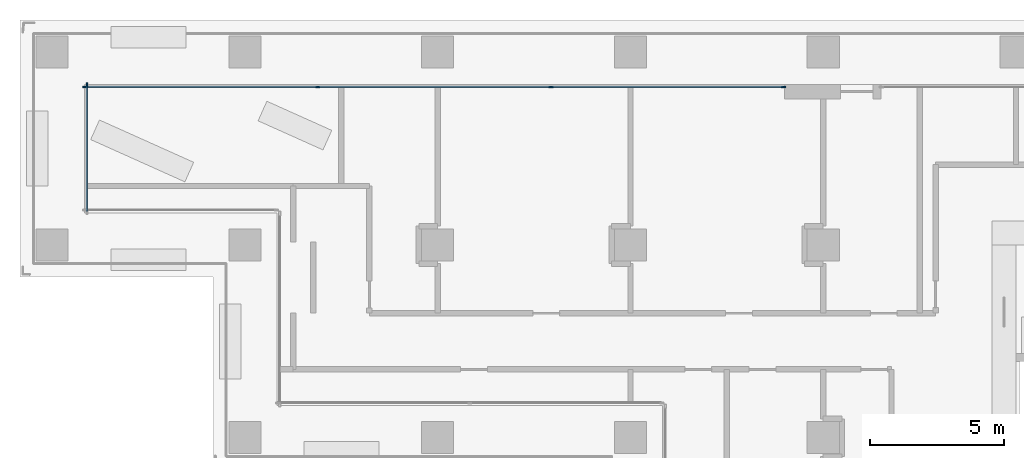
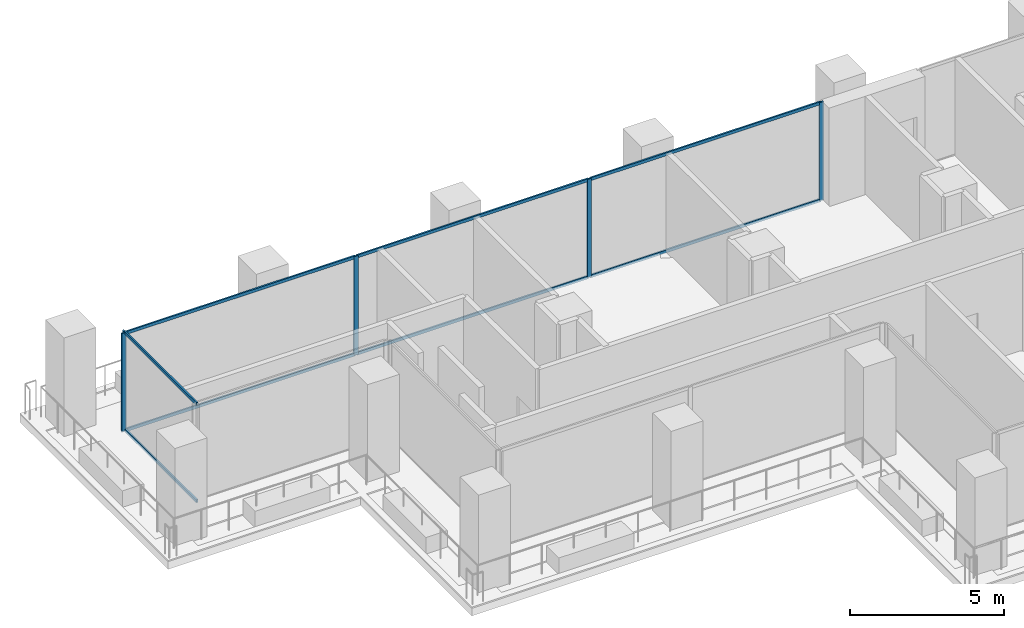
# One storey, part 5 of 24: 13 members, 2 elements without a shape of their own.
"""IFC4 building model written with IfcOpenShell, lengths in metres."""

import ifcopenshell
import ifcopenshell.guid

model = None  # the IFC model being written
_history = None  # IfcOwnerHistory: only IFC2X3 demands one
_inside = {}  # id of a spatial element -> (the spatial element, [elements in it])
_under = {}  # id of a project, library or spatial element -> (it, [spatial elements below it])
_declared = {}  # id of a project -> (the project, [libraries it declares])
_typed = {}  # id of a type object -> (the type object, [elements of that type])
_made_of = {}  # id of a material, layer set ... -> (it, [elements and type objects made of it])


def new_model(schema):
    """Start an empty IFC model of exactly this schema.

    Asked for "IFC4X3", IfcOpenShell would pick the latest addendum, in which some entities
    have other attributes; the version numbers below select the first issue.
    IFC2X3 requires an IfcOwnerHistory on every rooted entity: one is made here for all.
    """
    global model, _history
    if schema == "IFC4X3":
        model = ifcopenshell.file(schema_version=(4, 3, 0, 0))
    else:
        model = ifcopenshell.file(schema=schema)
    _inside.clear()
    _under.clear()
    _declared.clear()
    _typed.clear()
    _made_of.clear()
    _history = None
    if model.schema == "IFC2X3":
        org = make("IfcOrganization", Name="unknown")
        user = make(
            "IfcPersonAndOrganization",
            ThePerson=make("IfcPerson", FamilyName="unknown"),
            TheOrganization=org,
        )
        app = make(
            "IfcApplication",
            ApplicationDeveloper=org,
            Version="unknown",
            ApplicationFullName="unknown",
            ApplicationIdentifier="unknown",
        )
        _history = make(
            "IfcOwnerHistory",
            OwningUser=user,
            OwningApplication=app,
            ChangeAction="ADDED",
            CreationDate=0,
        )
    return model


def make(cls, **values):
    """One entity of the class cls with the attributes given. An attribute that is None is left unset."""
    return model.create_entity(
        cls, **{name: value for name, value in values.items() if value is not None}
    )


def rooted(cls, **values):
    """An entity with a GlobalId (a new one), such as an element, a storey or a relation."""
    return make(cls, GlobalId=ifcopenshell.guid.new(), OwnerHistory=_history, **values)


def si_unit(unit_type, name, prefix=None):
    """IfcSIUnit, for example si_unit("LENGTHUNIT", "METRE", prefix="MILLI")."""
    return make("IfcSIUnit", UnitType=unit_type, Prefix=prefix, Name=name)


def assignment(units):
    """IfcUnitAssignment: the units of a project."""
    return None if units is None else make("IfcUnitAssignment", Units=units)


def point(xyz):
    """IfcCartesianPoint."""
    return None if xyz is None else make("IfcCartesianPoint", Coordinates=xyz)


def direction(xyz):
    """IfcDirection."""
    return None if xyz is None else make("IfcDirection", DirectionRatios=xyz)


def frame(location, z_axis=None, x_axis=None):
    """IfcAxis2Placement3D, a coordinate frame: its origin and axes. An axis left out is left unset."""
    return make(
        "IfcAxis2Placement3D",
        Location=point(location),
        Axis=direction(z_axis),
        RefDirection=direction(x_axis),
    )


def frame_2d(location, x_axis=None):
    """IfcAxis2Placement2D, a coordinate frame in the plane: its origin and x axis."""
    return make(
        "IfcAxis2Placement2D", Location=point(location), RefDirection=direction(x_axis)
    )


def origin():
    """The frame at (0, 0, 0) with its axes left unset."""
    return frame((0.0, 0.0, 0.0))


def origin_2d():
    """The frame at (0, 0) in the plane with its x axis left unset."""
    return frame_2d((0.0, 0.0))


def place(relative_to, where):
    """IfcLocalPlacement: puts the frame where relative to a parent placement (None: the world)."""
    return make(
        "IfcLocalPlacement", PlacementRelTo=relative_to, RelativePlacement=where
    )


def context(
    kind, dimensions, precision=None, world=None, true_north=None, identifier=None
):
    """IfcGeometricRepresentationContext, for example the 3D "Model" context."""
    return make(
        "IfcGeometricRepresentationContext",
        ContextIdentifier=identifier,
        ContextType=kind,
        CoordinateSpaceDimension=dimensions,
        Precision=precision,
        WorldCoordinateSystem=world,
        TrueNorth=true_north,
    )


def subcontext(parent, identifier, kind, view, scale=None):
    """IfcGeometricRepresentationSubContext, for example "Body" below "Model"."""
    return make(
        "IfcGeometricRepresentationSubContext",
        ContextIdentifier=identifier,
        ContextType=kind,
        ParentContext=parent,
        TargetScale=scale,
        TargetView=view,
    )


def project(units=None, contexts=None):
    """IfcProject with its units and contexts."""
    return rooted(
        "IfcProject",
        Name="project",
        RepresentationContexts=contexts,
        UnitsInContext=assignment(units),
    )


def spatial(cls, under=None, at=None, **own):
    """A site, building, storey or space (cls), placed at a placement, below another one or the project."""
    s = rooted(cls, ObjectPlacement=at, **own)
    if under is not None:
        _under.setdefault(under.id(), (under, []))[1].append(s)
    return s


def profile(cls, at=None, kind="AREA", **sizes):
    """A parametric profile (cls). Its sizes go by their IFC names, for example OverallWidth=200.0."""
    return make(cls, ProfileType=kind, Position=at, **sizes)


def rectangle(**sizes):
    """IfcRectangleProfileDef."""
    return profile("IfcRectangleProfileDef", **sizes)


def extrude(swept, where, along, depth):
    """IfcExtrudedAreaSolid: the profile swept, set in the frame where, extruded along a direction by depth."""
    return make(
        "IfcExtrudedAreaSolid",
        SweptArea=swept,
        Position=where,
        ExtrudedDirection=direction(along),
        Depth=depth,
    )


def shape(context_of_items, identifier, shape_type, items):
    """IfcShapeRepresentation: the items that make up one representation, for example the "Body"."""
    return make(
        "IfcShapeRepresentation",
        ContextOfItems=context_of_items,
        RepresentationIdentifier=identifier,
        RepresentationType=shape_type,
        Items=items,
    )


def material(Name=None, Category=None):
    """IfcMaterial."""
    return make("IfcMaterial", Name=Name, Category=Category)


def material_profile(
    of_material, cross_section, Name=None, Category=None, Priority=None
):
    """IfcMaterialProfile: a cross section and its material."""
    return make(
        "IfcMaterialProfile",
        Name=Name,
        Material=of_material,
        Profile=cross_section,
        Priority=Priority,
        Category=Category,
    )


def profile_set(profiles, Name=None, composite=None):
    """IfcMaterialProfileSet."""
    return make(
        "IfcMaterialProfileSet",
        Name=Name,
        MaterialProfiles=profiles,
        CompositeProfile=composite,
    )


def made_of(thing, what):
    """Note that an element or type object is made of a material, layer set ...; save() writes the relation."""
    if what is not None:
        _made_of.setdefault(what.id(), (what, []))[1].append(thing)
    return thing


def type_object(cls, material=None, **own):
    """A type object (cls), such as IfcWallType, which elements share."""
    return made_of(rooted(cls, **own), material)


def element(
    cls,
    number,
    at=None,
    inside=None,
    cuts=None,
    type_object=None,
    material=None,
    context=None,
    identifier="Body",
    shape_type=None,
    held_by="IfcProductDefinitionShape",
    body=None,
    shapes=None,
    **own,
):
    """One element of the class cls, such as IfcWall. Its Tag is "e" and its number.

    at: its placement. inside: the storey or other place that contains it. cuts: it is an
    opening in that element (IfcRelVoidsElement). A single representation is given by context,
    identifier, shape_type and body (its items); several are given by shapes. held_by: the class
    of the entity that holds the representations. save() writes the other relations.
    """
    e = rooted(cls, Tag="e%d" % number, ObjectPlacement=at, **own)
    if body is not None:
        shapes = [shape(context, identifier, shape_type, body)]
    if shapes is not None:
        e.Representation = make(held_by, Representations=shapes)
    if inside is not None:
        _inside.setdefault(inside.id(), (inside, []))[1].append(e)
    if cuts is not None:
        rooted(
            "IfcRelVoidsElement", RelatingBuildingElement=cuts, RelatedOpeningElement=e
        )
    if type_object is not None:
        _typed.setdefault(type_object.id(), (type_object, []))[1].append(e)
    return made_of(e, material)


def aggregate(whole, parts):
    """IfcRelAggregates: a whole, such as a stair, and the parts it consists of."""
    return rooted("IfcRelAggregates", RelatingObject=whole, RelatedObjects=parts)


def save(model, path):
    """Write the relations noted so far, then the file.

    IfcRelAggregates (storeys below a building ...), IfcRelContainedInSpatialStructure (elements
    in a storey), IfcRelDefinesByType, IfcRelAssociatesMaterial and IfcRelDeclares: one each for
    every whole, place, type object, material and project.
    """
    for whole, parts in _under.values():
        aggregate(whole, parts)
    for where, things in _inside.values():
        rooted(
            "IfcRelContainedInSpatialStructure",
            RelatedElements=things,
            RelatingStructure=where,
        )
    for kind, things in _typed.values():
        rooted("IfcRelDefinesByType", RelatedObjects=things, RelatingType=kind)
    for what, things in _made_of.values():
        rooted("IfcRelAssociatesMaterial", RelatedObjects=things, RelatingMaterial=what)
    for by, libraries in _declared.values():
        rooted("IfcRelDeclares", RelatingContext=by, RelatedDefinitions=libraries)
    model.write(path)


model = new_model("IFC4")

# Units and contexts
model_context = context("Model", 3, precision=1e-05, world=origin(), true_north=direction((0.0, 1.0)))
body_context = subcontext(model_context, "Body", "Model", "MODEL_VIEW")
ifc_project = project(units=[si_unit("LENGTHUNIT", "METRE"), si_unit("AREAUNIT", "SQUARE_METRE"), si_unit("VOLUMEUNIT", "CUBIC_METRE"), si_unit("PLANEANGLEUNIT", "RADIAN"), si_unit("MASSUNIT", "GRAM", prefix="KILO")], contexts=[model_context])

# Site, building, storey
site_placement = place(None, origin())
site = spatial("IfcSite", under=ifc_project, at=site_placement, CompositionType="ELEMENT")
building_placement = place(site_placement, origin())
building = spatial("IfcBuilding", under=site, at=building_placement, Name="Windrow Commons", CompositionType="ELEMENT")
storey_placement = place(building_placement, frame((0.0, 0.0, 77.0)))
storey = spatial("IfcBuildingStorey", under=building, at=storey_placement, Name="L20", CompositionType="ELEMENT", Elevation=77.0)

# Curtain wall, members
ifc_material_1 = material(Name="Clear laminated glass in Aluminium 6063-T6 anodised frame", Category="aluminium")
curtain_wall_type = type_object("IfcCurtainWallType", Name="Curtain wall CW2 sky lounge", PredefinedType="USERDEFINED", material=ifc_material_1)
placement = place(storey_placement, origin())
curtain_wall_1 = element("IfcCurtainWall", 1, at=placement, inside=storey, type_object=curtain_wall_type, Name="Curtain wall CW2 L20 4.2", ObjectType="UNITISED", PredefinedType="USERDEFINED")
ifc_material_2 = material(Name="Aluminium 6063-T6", Category="aluminium")
ifc_material_profile_1 = material_profile(ifc_material_2, rectangle(XDim=0.06, YDim=0.16, at=origin_2d()))
ifc_profile_set_1 = profile_set([ifc_material_profile_1], Name="Aluminium 6063-T6")
member_type_1 = type_object("IfcMemberType", Name="CW2 mullion 60x160", PredefinedType="MULLION", material=ifc_profile_set_1)
member_1_placement = place(storey_placement, frame((48.9219, 70.7, 0.0), z_axis=(0.0, 0.0, 1.0), x_axis=(0.0, -1.0, 0.0)))
member_1 = element("IfcMember", 2, at=member_1_placement, type_object=member_type_1, Name="CW2 mullion 1", PredefinedType="MULLION", context=body_context, shape_type="SweptSolid", body=[
    extrude(rectangle(XDim=0.06, YDim=0.16, at=origin_2d()), origin(), (0.0, 0.0, 1.0), 3.9),
])
member_2_placement = place(storey_placement, frame((40.2346, 70.7, 0.0), z_axis=(0.0, 0.0, 1.0), x_axis=(0.0, -1.0, 0.0)))
member_2 = element("IfcMember", 3, at=member_2_placement, type_object=member_type_1, Name="CW2 mullion 2", PredefinedType="MULLION", context=body_context, shape_type="SweptSolid", body=[
    extrude(rectangle(XDim=0.06, YDim=0.16, at=origin_2d()), origin(), (0.0, 0.0, 1.0), 3.9),
])
member_3_placement = place(storey_placement, frame((31.5173, 70.7, 0.0), z_axis=(0.0, 0.0, 1.0), x_axis=(0.0, -1.0, 0.0)))
member_3 = element("IfcMember", 4, at=member_3_placement, type_object=member_type_1, Name="CW2 mullion 3", PredefinedType="MULLION", context=body_context, shape_type="SweptSolid", body=[
    extrude(rectangle(XDim=0.06, YDim=0.16, at=origin_2d()), origin(), (0.0, 0.0, 1.0), 3.9),
])
member_4_placement = place(storey_placement, frame((22.83, 70.7, 0.0), z_axis=(0.0, 0.0, 1.0), x_axis=(0.0, -1.0, 0.0)))
member_4 = element("IfcMember", 5, at=member_4_placement, type_object=member_type_1, Name="CW2 mullion 4", PredefinedType="MULLION", context=body_context, shape_type="SweptSolid", body=[
    extrude(rectangle(XDim=0.06, YDim=0.16, at=origin_2d()), origin(), (0.0, 0.0, 1.0), 3.9),
])

# Curtain wall, member
curtain_wall_2 = element("IfcCurtainWall", 6, at=placement, inside=storey, type_object=curtain_wall_type, Name="Curtain wall CW2 L20 5", ObjectType="UNITISED", PredefinedType="USERDEFINED")
member_5_placement = place(storey_placement, frame((22.9, 70.77, 0.0), z_axis=(0.0, 0.0, 1.0), x_axis=(1.0, 0.0, 0.0)))
member_5 = element("IfcMember", 7, at=member_5_placement, type_object=member_type_1, Name="CW2 mullion 1", PredefinedType="MULLION", context=body_context, shape_type="SweptSolid", body=[
    extrude(rectangle(XDim=0.06, YDim=0.16, at=origin_2d()), origin(), (0.0, 0.0, 1.0), 3.9),
])

# Member
ifc_material_3 = material(Name="Aluminium 6063-T6", Category="aluminium")
ifc_material_profile_2 = material_profile(ifc_material_3, rectangle(XDim=0.06, YDim=0.12, at=origin_2d()))
ifc_profile_set_2 = profile_set([ifc_material_profile_2], Name="Aluminium 6063-T6")
member_type_2 = type_object("IfcMemberType", Name="CW2 transom 60x120", PredefinedType="USERDEFINED", material=ifc_profile_set_2)
member_6_placement = place(storey_placement, frame((48.8919, 70.7, 0.03), z_axis=(-1.0, 0.0, 0.0), x_axis=(0.0, -1.0, 0.0)))
member_6 = element("IfcMember", 8, at=member_6_placement, type_object=member_type_2, Name="CW2 transom 1.1", ObjectType="TRANSOM", PredefinedType="USERDEFINED", context=body_context, shape_type="SweptSolid", body=[
    extrude(rectangle(XDim=0.06, YDim=0.12, at=origin_2d()), origin(), (0.0, 0.0, 1.0), 8.6273),
])

member_7_placement = place(storey_placement, frame((48.8919, 70.7, 3.87), z_axis=(-1.0, 0.0, 0.0), x_axis=(0.0, -1.0, 0.0)))
member_7 = element("IfcMember", 9, at=member_7_placement, type_object=member_type_2, Name="CW2 transom 1.2", ObjectType="TRANSOM", PredefinedType="USERDEFINED", context=body_context, shape_type="SweptSolid", body=[
    extrude(rectangle(XDim=0.06, YDim=0.12, at=origin_2d()), origin(), (0.0, 0.0, 1.0), 8.6273),
])

member_8_placement = place(storey_placement, frame((40.2046, 70.7, 0.03), z_axis=(-1.0, 0.0, 0.0), x_axis=(0.0, -1.0, 0.0)))
member_8 = element("IfcMember", 10, at=member_8_placement, type_object=member_type_2, Name="CW2 transom 2.1", ObjectType="TRANSOM", PredefinedType="USERDEFINED", context=body_context, shape_type="SweptSolid", body=[
    extrude(rectangle(XDim=0.06, YDim=0.12, at=origin_2d()), origin(), (0.0, 0.0, 1.0), 8.6573),
])

member_9_placement = place(storey_placement, frame((40.2046, 70.7, 3.87), z_axis=(-1.0, 0.0, 0.0), x_axis=(0.0, -1.0, 0.0)))
member_9 = element("IfcMember", 11, at=member_9_placement, type_object=member_type_2, Name="CW2 transom 2.2", ObjectType="TRANSOM", PredefinedType="USERDEFINED", context=body_context, shape_type="SweptSolid", body=[
    extrude(rectangle(XDim=0.06, YDim=0.12, at=origin_2d()), origin(), (0.0, 0.0, 1.0), 8.6573),
])

member_10_placement = place(storey_placement, frame((31.4873, 70.7, 0.03), z_axis=(-1.0, 0.0, 0.0), x_axis=(0.0, -1.0, 0.0)))
member_10 = element("IfcMember", 12, at=member_10_placement, type_object=member_type_2, Name="CW2 transom 3.1", ObjectType="TRANSOM", PredefinedType="USERDEFINED", context=body_context, shape_type="SweptSolid", body=[
    extrude(rectangle(XDim=0.06, YDim=0.12, at=origin_2d()), origin(), (0.0, 0.0, 1.0), 8.6273),
])

member_11_placement = place(storey_placement, frame((31.4873, 70.7, 3.87), z_axis=(-1.0, 0.0, 0.0), x_axis=(0.0, -1.0, 0.0)))
member_11 = element("IfcMember", 13, at=member_11_placement, type_object=member_type_2, Name="CW2 transom 3.2", ObjectType="TRANSOM", PredefinedType="USERDEFINED", context=body_context, shape_type="SweptSolid", body=[
    extrude(rectangle(XDim=0.06, YDim=0.12, at=origin_2d()), origin(), (0.0, 0.0, 1.0), 8.6273),
])

aggregate(curtain_wall_1, [member_1, member_2, member_3, member_4, member_6, member_7, member_8, member_9, member_10, member_11])

member_12_placement = place(storey_placement, frame((22.9, 70.74, 0.03), z_axis=(0.0, -1.0, 0.0), x_axis=(1.0, 0.0, 0.0)))
member_12 = element("IfcMember", 14, at=member_12_placement, type_object=member_type_2, Name="CW2 transom 1.1", ObjectType="TRANSOM", PredefinedType="USERDEFINED", context=body_context, shape_type="SweptSolid", body=[
    extrude(rectangle(XDim=0.06, YDim=0.12, at=origin_2d()), origin(), (0.0, 0.0, 1.0), 4.68),
])

member_13_placement = place(storey_placement, frame((22.9, 70.74, 3.87), z_axis=(0.0, -1.0, 0.0), x_axis=(1.0, 0.0, 0.0)))
member_13 = element("IfcMember", 15, at=member_13_placement, type_object=member_type_2, Name="CW2 transom 1.2", ObjectType="TRANSOM", PredefinedType="USERDEFINED", context=body_context, shape_type="SweptSolid", body=[
    extrude(rectangle(XDim=0.06, YDim=0.12, at=origin_2d()), origin(), (0.0, 0.0, 1.0), 4.68),
])

aggregate(curtain_wall_2, [member_5, member_12, member_13])

save(model, "model.ifc")
